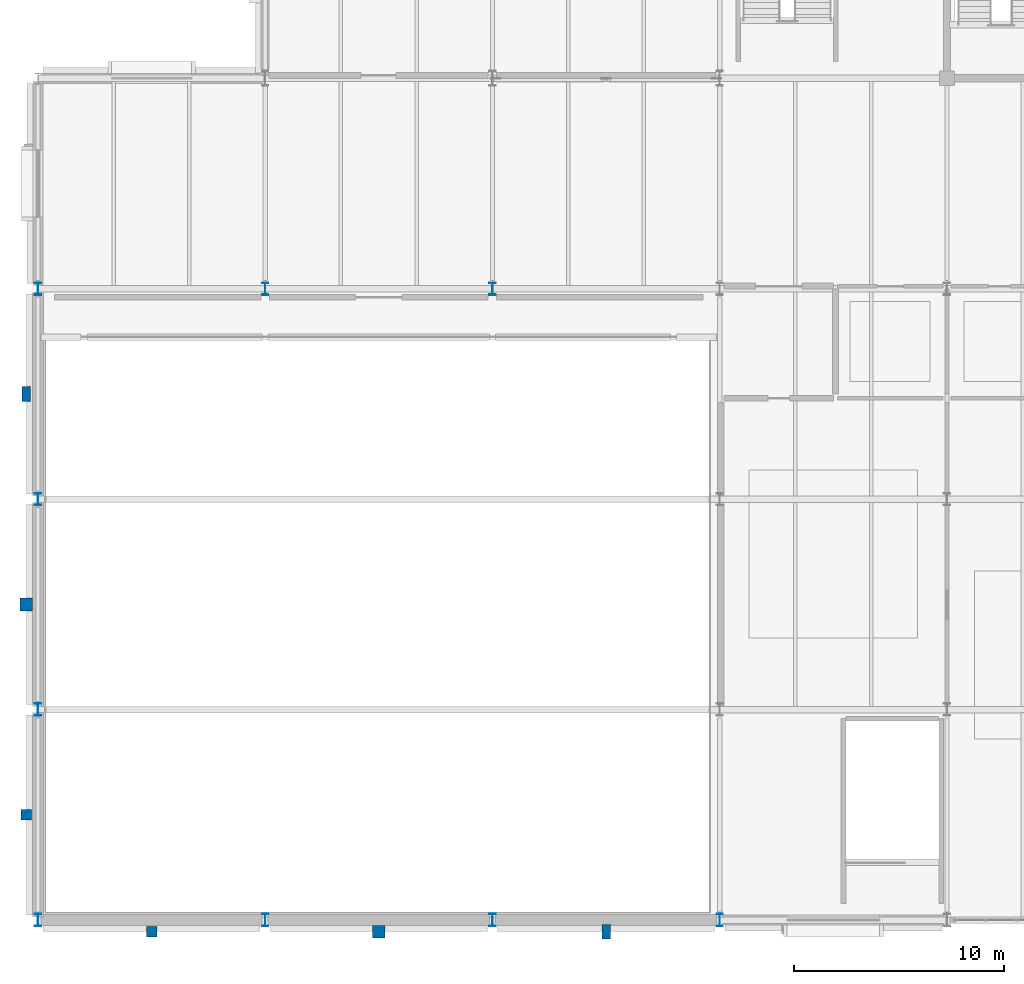
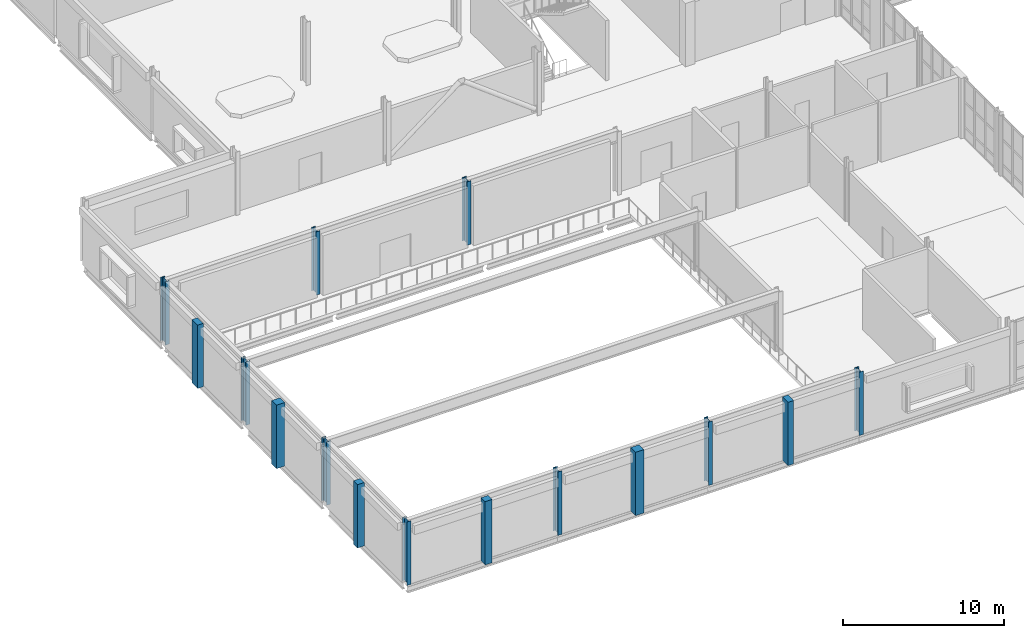
# One storey, part 1 of 92: 15 columns.
"""IFC4 building model written with IfcOpenShell, lengths in metres."""

from ifc_helpers import new_model, si_unit, direction, frame, origin, origin_2d, place, context, subcontext, project, spatial, rectangle, i_section, extrude, material, material_profile, profile_set, type_object, element, save


model = new_model("IFC4")

# Units and contexts
model_context = context("Model", 3, precision=1e-05, world=origin(), true_north=direction((0.0, 1.0)))
body_context = subcontext(model_context, "Body", "Model", "MODEL_VIEW")
ifc_project = project(units=[si_unit("LENGTHUNIT", "METRE"), si_unit("AREAUNIT", "SQUARE_METRE"), si_unit("VOLUMEUNIT", "CUBIC_METRE"), si_unit("PLANEANGLEUNIT", "RADIAN"), si_unit("MASSUNIT", "GRAM", prefix="KILO")], contexts=[model_context])

# Site, building, storey
site_placement = place(None, origin())
site = spatial("IfcSite", under=ifc_project, at=site_placement, CompositionType="ELEMENT")
building_placement = place(site_placement, origin())
building = spatial("IfcBuilding", under=site, at=building_placement, Name="Tasgan Crest Museum", CompositionType="ELEMENT")
storey_placement = place(building_placement, frame((0.0, 0.0, 4.800048828125)))
storey = spatial("IfcBuildingStorey", under=building, at=storey_placement, Name="L01", CompositionType="ELEMENT", Elevation=4.800048828125)

# Columns
ifc_material_1 = material(Name="Steel S355J2", Category="steel")
ifc_material_profile_1 = material_profile(ifc_material_1, i_section(OverallWidth=0.300048828125, OverallDepth=0.590087890625, WebThickness=0.012939453125, FlangeThickness=0.02490234375, FilletRadius=0.027099609375, at=origin_2d()), Name="HEA 600")
ifc_profile_set_1 = profile_set([ifc_material_profile_1], Name="Steel S355J2")
column_type_1 = type_object("IfcColumnType", Name="COL-HEA600", PredefinedType="COLUMN", material=ifc_profile_set_1)
for number, where, z_axis, x_axis, name in (
    (1, (0.0, 0.0, 0.0), (0.0, 0.0, 1.0), (1.0, 0.0, 0.0), "Column 1/A L01"),
    (2, (0.0, 10.0, 0.0), (0.0, 0.0, 1.0), (1.0, 0.0, 0.0), "Column 1/B L01"),
    (3, (0.0, 20.0, 0.0), (0.0, 0.0, 1.0), (1.0, 0.0, 0.0), "Column 1/C L01"),
    (4, (0.0, 30.0, 0.0), (0.0, 0.0, 1.0), (1.0, 0.0, 0.0), "Column 1/D L01"),
    (5, (10.800048828125, 0.0, 0.0), (0.0, 0.0, 1.0), (1.0, 0.0, 0.0), "Column 2/A L01"),
    (6, (10.800048828125, 30.0, 0.0), (0.0, 0.0, 1.0), (1.0, 0.0, 0.0), "Column 2/D L01"),
    (7, (21.60009765625, 0.0, 0.0), (0.0, 0.0, 1.0), (1.0, 0.0, 0.0), "Column 3/A L01"),
    (8, (21.60009765625, 30.0, 0.0), (0.0, 0.0, 1.0), (1.0, 0.0, 0.0), "Column 3/D L01"),
    (9, (32.39990234375, 0.0, 0.0), (0.0, 0.0, 1.0), (1.0, 0.0, 0.0), "Column 4/A L01"),
):
    element("IfcColumn", number, at=place(storey_placement, frame(where, z_axis=z_axis, x_axis=x_axis)), inside=storey, type_object=column_type_1, Name=name, PredefinedType="COLUMN", context=body_context, shape_type="SweptSolid", body=[
        extrude(i_section(OverallWidth=0.300048828125, OverallDepth=0.590087890625, WebThickness=0.012939453125, FlangeThickness=0.02490234375, FilletRadius=0.027099609375, at=origin_2d()), origin(), (0.0, 0.0, 1.0), 4.800048828125),
    ])
ifc_material_2 = material(Name="Precast concrete C40/50", Category="concrete")
ifc_material_profile_2 = material_profile(ifc_material_2, rectangle(XDim=0.5, YDim=0.5, at=origin_2d()), Name="RC 500x500")
ifc_profile_set_2 = profile_set([ifc_material_profile_2], Name="Precast concrete C40/50")
column_type_2 = type_object("IfcColumnType", Name="COL-PILASTER-1", PredefinedType="PILASTER", material=ifc_profile_set_2)
for number, where, z_axis, x_axis, name in (
    (10, (5.39990234375, -0.550048828125, 0.0), (0.0, 0.0, 1.0), (1.0, 0.0, 0.0), "Stone facade pilaster L01-07"),
    (11, (-0.550048828125, 5.0, 0.0), (0.0, 0.0, 1.0), (1.0, 0.0, 0.0), "Stone facade pilaster L01-10"),
):
    element("IfcColumn", number, at=place(storey_placement, frame(where, z_axis=z_axis, x_axis=x_axis)), inside=storey, type_object=column_type_2, Name=name, PredefinedType="PILASTER", context=body_context, shape_type="SweptSolid", body=[
        extrude(rectangle(XDim=0.5, YDim=0.5, at=origin_2d()), origin(), (0.0, 0.0, 1.0), 4.800048828125),
    ])
ifc_material_3 = material(Name="Precast concrete C40/50", Category="concrete")
ifc_material_profile_3 = material_profile(ifc_material_3, rectangle(XDim=0.60009765625, YDim=0.60009765625, at=origin_2d()), Name="RC 600x600")
ifc_profile_set_3 = profile_set([ifc_material_profile_3], Name="Precast concrete C40/50")
column_type_3 = type_object("IfcColumnType", Name="COL-PILASTER-2", PredefinedType="PILASTER", material=ifc_profile_set_3)
for number, where, z_axis, x_axis, name in (
    (12, (16.199951171875, -0.550048828125, 0.0), (0.0, 0.0, 1.0), (1.0, 0.0, 0.0), "Stone facade pilaster L01-08"),
    (13, (-0.550048828125, 15.0, 0.0), (0.0, 0.0, 1.0), (1.0, 0.0, 0.0), "Stone facade pilaster L01-11"),
):
    element("IfcColumn", number, at=place(storey_placement, frame(where, z_axis=z_axis, x_axis=x_axis)), inside=storey, type_object=column_type_3, Name=name, PredefinedType="PILASTER", context=body_context, shape_type="SweptSolid", body=[
        extrude(rectangle(XDim=0.60009765625, YDim=0.60009765625, at=origin_2d()), origin(), (0.0, 0.0, 1.0), 4.800048828125),
    ])
ifc_material_4 = material(Name="Precast concrete C40/50", Category="concrete")
ifc_material_profile_4 = material_profile(ifc_material_4, rectangle(XDim=0.39990234375, YDim=0.699951171875, at=origin_2d()), Name="RC 400x700")
ifc_profile_set_4 = profile_set([ifc_material_profile_4], Name="Precast concrete C40/50")
column_type_4 = type_object("IfcColumnType", Name="COL-PILASTER-3", PredefinedType="PILASTER", material=ifc_profile_set_4)
for number, where, z_axis, x_axis, name in (
    (14, (27.0, -0.550048828125, 0.0), (0.0, 0.0, 1.0), (1.0, 0.0, 0.0), "Stone facade pilaster L01-09"),
    (15, (-0.550048828125, 25.0, 0.0), (0.0, 0.0, 1.0), (1.0, 0.0, 0.0), "Stone facade pilaster L01-12"),
):
    element("IfcColumn", number, at=place(storey_placement, frame(where, z_axis=z_axis, x_axis=x_axis)), inside=storey, type_object=column_type_4, Name=name, PredefinedType="PILASTER", context=body_context, shape_type="SweptSolid", body=[
        extrude(rectangle(XDim=0.39990234375, YDim=0.699951171875, at=origin_2d()), origin(), (0.0, 0.0, 1.0), 4.800048828125),
    ])

save(model, "model.ifc")
